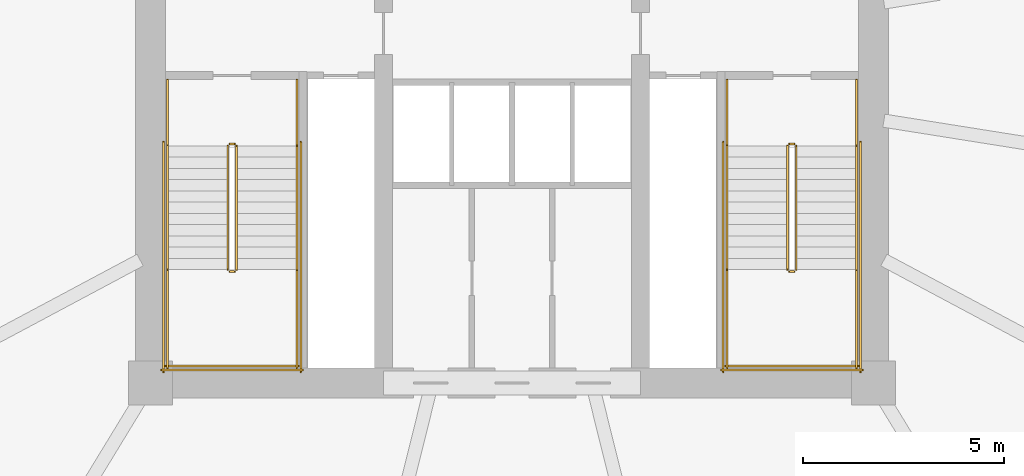
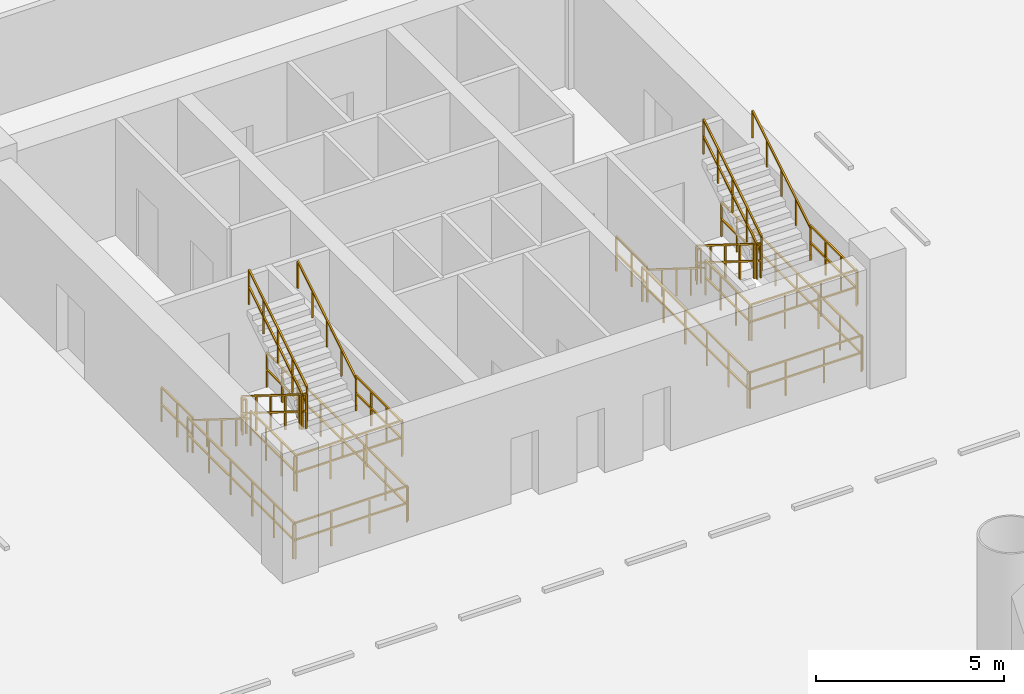
# One storey, part 9 of 11: 28 railings.
"""IFC4 building model written with IfcOpenShell, lengths in metres."""

from ifc_helpers import new_model, si_unit, direction, frame, origin, origin_2d, place, context, subcontext, project, spatial, rectangle, extrude, material, type_object, element, save


model = new_model("IFC4")

# Units and contexts
model_context = context("Model", 3, precision=1e-05, world=origin(), true_north=direction((-0.2419218956, 0.970295726276)))
body_context = subcontext(model_context, "Body", "Model", "MODEL_VIEW")
ifc_project = project(units=[si_unit("LENGTHUNIT", "METRE"), si_unit("AREAUNIT", "SQUARE_METRE"), si_unit("VOLUMEUNIT", "CUBIC_METRE"), si_unit("PLANEANGLEUNIT", "RADIAN"), si_unit("MASSUNIT", "GRAM", prefix="KILO")], contexts=[model_context])

# Site, building, storey
site_placement = place(None, origin())
site = spatial("IfcSite", under=ifc_project, at=site_placement, CompositionType="ELEMENT")
building_placement = place(site_placement, origin())
building = spatial("IfcBuilding", under=site, at=building_placement, Name="Cobrevalo Terracotta Tower", CompositionType="ELEMENT")
storey_placement = place(building_placement, frame((0.0, 0.0, -4.199951171875)))
storey = spatial("IfcBuildingStorey", under=building, at=storey_placement, Name="B01", CompositionType="ELEMENT", Elevation=-4.199951171875)

# Railings
ifc_material_1 = material(Name="Brushed stainless steel", Category="steel")
railing_type_1 = type_object("IfcRailingType", Name="Stainless Steel Stair Handrail 900", PredefinedType="HANDRAIL", material=ifc_material_1)
railing_1_placement = place(storey_placement, frame((29.425048828125, 24.699951171875, 0.175048828125)))
element("IfcRailing", 1, at=railing_1_placement, inside=storey, type_object=railing_type_1, Name="B01 ST-1 stair handrail 1", PredefinedType="HANDRAIL", context=body_context, shape_type="SweptSolid", body=[
    extrude(rectangle(XDim=0.048095703125, YDim=0.048095703125, at=origin_2d()), frame((0.0, 0.0, 0.8759765625), z_axis=(0.0, -0.848009633417, 0.529980812513), x_axis=(1.0, 0.0, 0.0)), (0.0, 0.0, 1.0), 3.6318359375),
    extrude(rectangle(XDim=0.0419921875, YDim=0.0419921875, at=origin_2d()), origin(), (0.0, 0.0, 1.0), 0.851806640625),
    extrude(rectangle(XDim=0.0419921875, YDim=0.0419921875, at=origin_2d()), frame((0.0, -0.77001953125, 0.481201171875)), (0.0, 0.0, 1.0), 0.851806640625),
    extrude(rectangle(XDim=0.0419921875, YDim=0.0419921875, at=origin_2d()), frame((0.0, -1.5400390625, 0.96240234375)), (0.0, 0.0, 1.0), 0.851806640625),
    extrude(rectangle(XDim=0.0419921875, YDim=0.0419921875, at=origin_2d()), frame((0.0, -2.309814453125, 1.443603515625)), (0.0, 0.0, 1.0), 0.851806640625),
    extrude(rectangle(XDim=0.0419921875, YDim=0.0419921875, at=origin_2d()), frame((0.0, -3.079833984375, 1.9248046875)), (0.0, 0.0, 1.0), 0.851806640625),
])
railing_2_placement = place(storey_placement, frame((32.64501953125, 21.6201171875, 2.27490234375)))
element("IfcRailing", 2, at=railing_2_placement, inside=storey, type_object=railing_type_1, Name="B01 ST-1 stair handrail 2", PredefinedType="HANDRAIL", context=body_context, shape_type="SweptSolid", body=[
    extrude(rectangle(XDim=0.048095703125, YDim=0.048095703125, at=origin_2d()), frame((0.0, 0.0, 0.8759765625), z_axis=(0.0, 0.847979421464, 0.530029150871), x_axis=(-1.0, 0.0, 0.0)), (0.0, 0.0, 1.0), 3.632080078125),
    extrude(rectangle(XDim=0.0419921875, YDim=0.0419921875, at=origin_2d()), origin(), (0.0, 0.0, 1.0), 0.851806640625),
    extrude(rectangle(XDim=0.0419921875, YDim=0.0419921875, at=origin_2d()), frame((0.0, 0.77001953125, 0.481201171875)), (0.0, 0.0, 1.0), 0.851806640625),
    extrude(rectangle(XDim=0.0419921875, YDim=0.0419921875, at=origin_2d()), frame((0.0, 1.5400390625, 0.96240234375)), (0.0, 0.0, 1.0), 0.851806640625),
    extrude(rectangle(XDim=0.0419921875, YDim=0.0419921875, at=origin_2d()), frame((0.0, 2.309814453125, 1.44384765625)), (0.0, 0.0, 1.0), 0.851806640625),
    extrude(rectangle(XDim=0.0419921875, YDim=0.0419921875, at=origin_2d()), frame((0.0, 3.079833984375, 1.925048828125)), (0.0, 0.0, 1.0), 0.851806640625),
])
railing_3_placement = place(storey_placement, frame((43.35498046875, 24.699951171875, 0.175048828125)))
element("IfcRailing", 3, at=railing_3_placement, inside=storey, type_object=railing_type_1, Name="B01 ST-2 stair handrail 1", PredefinedType="HANDRAIL", context=body_context, shape_type="SweptSolid", body=[
    extrude(rectangle(XDim=0.048095703125, YDim=0.048095703125, at=origin_2d()), frame((0.0, 0.0, 0.8759765625), z_axis=(0.0, -0.848009633417, 0.529980812513), x_axis=(1.0, 0.0, 0.0)), (0.0, 0.0, 1.0), 3.6318359375),
    extrude(rectangle(XDim=0.0419921875, YDim=0.0419921875, at=origin_2d()), origin(), (0.0, 0.0, 1.0), 0.851806640625),
    extrude(rectangle(XDim=0.0419921875, YDim=0.0419921875, at=origin_2d()), frame((0.0, -0.77001953125, 0.481201171875)), (0.0, 0.0, 1.0), 0.851806640625),
    extrude(rectangle(XDim=0.0419921875, YDim=0.0419921875, at=origin_2d()), frame((0.0, -1.5400390625, 0.96240234375)), (0.0, 0.0, 1.0), 0.851806640625),
    extrude(rectangle(XDim=0.0419921875, YDim=0.0419921875, at=origin_2d()), frame((0.0, -2.309814453125, 1.443603515625)), (0.0, 0.0, 1.0), 0.851806640625),
    extrude(rectangle(XDim=0.0419921875, YDim=0.0419921875, at=origin_2d()), frame((0.0, -3.079833984375, 1.9248046875)), (0.0, 0.0, 1.0), 0.851806640625),
])
railing_4_placement = place(storey_placement, frame((46.574951171875, 21.6201171875, 2.27490234375)))
element("IfcRailing", 4, at=railing_4_placement, inside=storey, type_object=railing_type_1, Name="B01 ST-2 stair handrail 2", PredefinedType="HANDRAIL", context=body_context, shape_type="SweptSolid", body=[
    extrude(rectangle(XDim=0.048095703125, YDim=0.048095703125, at=origin_2d()), frame((0.0, 0.0, 0.8759765625), z_axis=(0.0, 0.847979421464, 0.530029150871), x_axis=(-1.0, 0.0, 0.0)), (0.0, 0.0, 1.0), 3.632080078125),
    extrude(rectangle(XDim=0.0419921875, YDim=0.0419921875, at=origin_2d()), origin(), (0.0, 0.0, 1.0), 0.851806640625),
    extrude(rectangle(XDim=0.0419921875, YDim=0.0419921875, at=origin_2d()), frame((0.0, 0.77001953125, 0.481201171875)), (0.0, 0.0, 1.0), 0.851806640625),
    extrude(rectangle(XDim=0.0419921875, YDim=0.0419921875, at=origin_2d()), frame((0.0, 1.5400390625, 0.96240234375)), (0.0, 0.0, 1.0), 0.851806640625),
    extrude(rectangle(XDim=0.0419921875, YDim=0.0419921875, at=origin_2d()), frame((0.0, 2.309814453125, 1.44384765625)), (0.0, 0.0, 1.0), 0.851806640625),
    extrude(rectangle(XDim=0.0419921875, YDim=0.0419921875, at=origin_2d()), frame((0.0, 3.079833984375, 1.925048828125)), (0.0, 0.0, 1.0), 0.851806640625),
])
ifc_material_2 = material(Name="Painted galvanized steel", Category="steel")
railing_type_2 = type_object("IfcRailingType", Name="Stair Well Guard Balustrade 1150", PredefinedType="GUARDRAIL", material=ifc_material_2)
railing_5_placement = place(storey_placement, frame((30.925048828125, 24.699951171875, 0.175048828125)))
element("IfcRailing", 5, at=railing_5_placement, inside=storey, type_object=railing_type_2, Name="B01 ST-1 stair guard 1", PredefinedType="GUARDRAIL", context=body_context, shape_type="SweptSolid", body=[
    extrude(rectangle(XDim=0.048095703125, YDim=0.048095703125, at=origin_2d()), frame((0.0, 0.0, 1.1259765625), z_axis=(0.0, -0.848009633417, 0.529980812513), x_axis=(1.0, 0.0, 0.0)), (0.0, 0.0, 1.0), 3.6318359375),
    extrude(rectangle(XDim=0.048095703125, YDim=0.048095703125, at=origin_2d()), frame((0.0, 0.0, 0.574951171875), z_axis=(0.0, -0.848009633417, 0.529980812513), x_axis=(1.0, 0.0, 0.0)), (0.0, 0.0, 1.0), 3.6318359375),
    extrude(rectangle(XDim=0.0419921875, YDim=0.0419921875, at=origin_2d()), origin(), (0.0, 0.0, 1.0), 1.101806640625),
    extrude(rectangle(XDim=0.0419921875, YDim=0.0419921875, at=origin_2d()), frame((0.0, -0.77001953125, 0.481201171875)), (0.0, 0.0, 1.0), 1.101806640625),
    extrude(rectangle(XDim=0.0419921875, YDim=0.0419921875, at=origin_2d()), frame((0.0, -1.5400390625, 0.96240234375)), (0.0, 0.0, 1.0), 1.101806640625),
    extrude(rectangle(XDim=0.0419921875, YDim=0.0419921875, at=origin_2d()), frame((0.0, -2.309814453125, 1.443603515625)), (0.0, 0.0, 1.0), 1.101806640625),
    extrude(rectangle(XDim=0.0419921875, YDim=0.0419921875, at=origin_2d()), frame((0.0, -3.079833984375, 1.9248046875)), (0.0, 0.0, 1.0), 1.101806640625),
])
railing_6_placement = place(storey_placement, frame((30.97509765625, 21.570068359375, 2.099853515625)))
element("IfcRailing", 6, at=railing_6_placement, inside=storey, type_object=railing_type_2, Name="B01 ST-1 stair guard 2", PredefinedType="GUARDRAIL", context=body_context, shape_type="SweptSolid", body=[
    extrude(rectangle(XDim=0.048095703125, YDim=0.048095703125, at=origin_2d()), frame((0.0, 0.0, 1.1259765625), z_axis=(1.0, 0.0, 0.0), x_axis=(0.0, 1.0, 0.0)), (0.0, 0.0, 1.0), 0.119873046875),
    extrude(rectangle(XDim=0.048095703125, YDim=0.048095703125, at=origin_2d()), frame((0.0, 0.0, 0.574951171875), z_axis=(1.0, 0.0, 0.0), x_axis=(0.0, 1.0, 0.0)), (0.0, 0.0, 1.0), 0.119873046875),
    extrude(rectangle(XDim=0.0419921875, YDim=0.0419921875, at=origin_2d()), origin(), (0.0, 0.0, 1.0), 1.101806640625),
    extrude(rectangle(XDim=0.0419921875, YDim=0.0419921875, at=origin_2d()), frame((0.119873046875, 0.0, 0.0)), (0.0, 0.0, 1.0), 1.101806640625),
])
for number, where, name in (
    (7, (29.425048828125, 21.6201171875, 2.099853515625), "B01 ST-1 stair guard 3"),
    (8, (32.64501953125, 21.6201171875, 2.099853515625), "B01 ST-1 stair guard 4"),
):
    element("IfcRailing", number, at=place(storey_placement, frame(where)), inside=storey, type_object=railing_type_2, Name=name, PredefinedType="GUARDRAIL", context=body_context, shape_type="SweptSolid", body=[
        extrude(rectangle(XDim=0.048095703125, YDim=0.048095703125, at=origin_2d()), frame((0.0, 0.0, 1.1259765625), z_axis=(0.0, -1.0, 0.0), x_axis=(1.0, 0.0, 0.0)), (0.0, 0.0, 1.0), 2.445068359375),
        extrude(rectangle(XDim=0.048095703125, YDim=0.048095703125, at=origin_2d()), frame((0.0, 0.0, 0.574951171875), z_axis=(0.0, -1.0, 0.0), x_axis=(1.0, 0.0, 0.0)), (0.0, 0.0, 1.0), 2.445068359375),
        extrude(rectangle(XDim=0.0419921875, YDim=0.0419921875, at=origin_2d()), origin(), (0.0, 0.0, 1.0), 1.101806640625),
        extrude(rectangle(XDim=0.0419921875, YDim=0.0419921875, at=origin_2d()), frame((0.0, -0.81494140625, 0.0)), (0.0, 0.0, 1.0), 1.101806640625),
        extrude(rectangle(XDim=0.0419921875, YDim=0.0419921875, at=origin_2d()), frame((0.0, -1.630126953125, 0.0)), (0.0, 0.0, 1.0), 1.101806640625),
        extrude(rectangle(XDim=0.0419921875, YDim=0.0419921875, at=origin_2d()), frame((0.0, -2.445068359375, 0.0)), (0.0, 0.0, 1.0), 1.101806640625),
    ])
railing_7_placement = place(storey_placement, frame((29.375, 19.22509765625, 2.099853515625)))
element("IfcRailing", 9, at=railing_7_placement, inside=storey, type_object=railing_type_2, Name="B01 ST-1 stair guard 5", PredefinedType="GUARDRAIL", context=body_context, shape_type="SweptSolid", body=[
    extrude(rectangle(XDim=0.048095703125, YDim=0.048095703125, at=origin_2d()), frame((0.0, 0.0, 1.1259765625), z_axis=(1.0, 0.0, 0.0), x_axis=(0.0, 1.0, 0.0)), (0.0, 0.0, 1.0), 3.320068359375),
    extrude(rectangle(XDim=0.048095703125, YDim=0.048095703125, at=origin_2d()), frame((0.0, 0.0, 0.574951171875), z_axis=(1.0, 0.0, 0.0), x_axis=(0.0, 1.0, 0.0)), (0.0, 0.0, 1.0), 3.320068359375),
    extrude(rectangle(XDim=0.0419921875, YDim=0.0419921875, at=origin_2d()), origin(), (0.0, 0.0, 1.0), 1.101806640625),
    extrude(rectangle(XDim=0.0419921875, YDim=0.0419921875, at=origin_2d()), frame((1.106689453125, 0.0, 0.0)), (0.0, 0.0, 1.0), 1.101806640625),
    extrude(rectangle(XDim=0.0419921875, YDim=0.0419921875, at=origin_2d()), frame((2.21337890625, 0.0, 0.0)), (0.0, 0.0, 1.0), 1.101806640625),
    extrude(rectangle(XDim=0.0419921875, YDim=0.0419921875, at=origin_2d()), frame((3.320068359375, 0.0, 0.0)), (0.0, 0.0, 1.0), 1.101806640625),
])
railing_8_placement = place(storey_placement, frame((31.14501953125, 21.6201171875, 2.27490234375)))
element("IfcRailing", 10, at=railing_8_placement, inside=storey, type_object=railing_type_2, Name="B01 ST-1 stair guard 6", PredefinedType="GUARDRAIL", context=body_context, shape_type="SweptSolid", body=[
    extrude(rectangle(XDim=0.048095703125, YDim=0.048095703125, at=origin_2d()), frame((0.0, 0.0, 1.1259765625), z_axis=(0.0, 0.847979421464, 0.530029150871), x_axis=(-1.0, 0.0, 0.0)), (0.0, 0.0, 1.0), 3.632080078125),
    extrude(rectangle(XDim=0.048095703125, YDim=0.048095703125, at=origin_2d()), frame((0.0, 0.0, 0.574951171875), z_axis=(0.0, 0.847979421464, 0.530029150871), x_axis=(-1.0, 0.0, 0.0)), (0.0, 0.0, 1.0), 3.632080078125),
    extrude(rectangle(XDim=0.0419921875, YDim=0.0419921875, at=origin_2d()), origin(), (0.0, 0.0, 1.0), 1.101806640625),
    extrude(rectangle(XDim=0.0419921875, YDim=0.0419921875, at=origin_2d()), frame((0.0, 0.77001953125, 0.481201171875)), (0.0, 0.0, 1.0), 1.101806640625),
    extrude(rectangle(XDim=0.0419921875, YDim=0.0419921875, at=origin_2d()), frame((0.0, 1.5400390625, 0.96240234375)), (0.0, 0.0, 1.0), 1.101806640625),
    extrude(rectangle(XDim=0.0419921875, YDim=0.0419921875, at=origin_2d()), frame((0.0, 2.309814453125, 1.44384765625)), (0.0, 0.0, 1.0), 1.101806640625),
    extrude(rectangle(XDim=0.0419921875, YDim=0.0419921875, at=origin_2d()), frame((0.0, 3.079833984375, 1.925048828125)), (0.0, 0.0, 1.0), 1.101806640625),
])
railing_9_placement = place(storey_placement, frame((30.97509765625, 24.75, 0.0)))
element("IfcRailing", 11, at=railing_9_placement, inside=storey, type_object=railing_type_2, Name="B01 ST-1 stair guard 7", PredefinedType="GUARDRAIL", context=body_context, shape_type="SweptSolid", body=[
    extrude(rectangle(XDim=0.048095703125, YDim=0.048095703125, at=origin_2d()), frame((0.0, 0.0, 1.1259765625), z_axis=(1.0, 0.0, 0.0), x_axis=(0.0, 1.0, 0.0)), (0.0, 0.0, 1.0), 0.119873046875),
    extrude(rectangle(XDim=0.048095703125, YDim=0.048095703125, at=origin_2d()), frame((0.0, 0.0, 0.574951171875), z_axis=(1.0, 0.0, 0.0), x_axis=(0.0, 1.0, 0.0)), (0.0, 0.0, 1.0), 0.119873046875),
    extrude(rectangle(XDim=0.0419921875, YDim=0.0419921875, at=origin_2d()), origin(), (0.0, 0.0, 1.0), 1.101806640625),
    extrude(rectangle(XDim=0.0419921875, YDim=0.0419921875, at=origin_2d()), frame((0.119873046875, 0.0, 0.0)), (0.0, 0.0, 1.0), 1.101806640625),
])
for number, where, name in (
    (12, (29.425048828125, 26.35009765625, 0.0), "B01 ST-1 stair guard 8"),
    (13, (32.64501953125, 26.35009765625, 0.0), "B01 ST-1 stair guard 9"),
):
    element("IfcRailing", number, at=place(storey_placement, frame(where)), inside=storey, type_object=railing_type_2, Name=name, PredefinedType="GUARDRAIL", context=body_context, shape_type="SweptSolid", body=[
        extrude(rectangle(XDim=0.048095703125, YDim=0.048095703125, at=origin_2d()), frame((0.0, 0.0, 1.1259765625), z_axis=(0.0, -1.0, 0.0), x_axis=(1.0, 0.0, 0.0)), (0.0, 0.0, 1.0), 1.650146484375),
        extrude(rectangle(XDim=0.048095703125, YDim=0.048095703125, at=origin_2d()), frame((0.0, 0.0, 0.574951171875), z_axis=(0.0, -1.0, 0.0), x_axis=(1.0, 0.0, 0.0)), (0.0, 0.0, 1.0), 1.650146484375),
        extrude(rectangle(XDim=0.0419921875, YDim=0.0419921875, at=origin_2d()), origin(), (0.0, 0.0, 1.0), 1.101806640625),
        extrude(rectangle(XDim=0.0419921875, YDim=0.0419921875, at=origin_2d()), frame((0.0, -0.8251953125, 0.0)), (0.0, 0.0, 1.0), 1.101806640625),
        extrude(rectangle(XDim=0.0419921875, YDim=0.0419921875, at=origin_2d()), frame((0.0, -1.650146484375, 0.0)), (0.0, 0.0, 1.0), 1.101806640625),
    ])
for number, where, name in (
    (14, (29.324951171875, 24.800048828125, 0.0), "B01 ST-1 stair guard 10"),
    (15, (32.7451171875, 24.800048828125, 0.0), "B01 ST-1 stair guard 11"),
):
    element("IfcRailing", number, at=place(storey_placement, frame(where)), inside=storey, type_object=railing_type_2, Name=name, PredefinedType="GUARDRAIL", context=body_context, shape_type="SweptSolid", body=[
        extrude(rectangle(XDim=0.048095703125, YDim=0.048095703125, at=origin_2d()), frame((0.0, 0.0, 1.1259765625), z_axis=(0.0, -1.0, 0.0), x_axis=(1.0, 0.0, 0.0)), (0.0, 0.0, 1.0), 5.72509765625),
        extrude(rectangle(XDim=0.048095703125, YDim=0.048095703125, at=origin_2d()), frame((0.0, 0.0, 0.574951171875), z_axis=(0.0, -1.0, 0.0), x_axis=(1.0, 0.0, 0.0)), (0.0, 0.0, 1.0), 5.72509765625),
        extrude(rectangle(XDim=0.0419921875, YDim=0.0419921875, at=origin_2d()), origin(), (0.0, 0.0, 1.0), 1.101806640625),
        extrude(rectangle(XDim=0.0419921875, YDim=0.0419921875, at=origin_2d()), frame((0.0, -1.14501953125, 0.0)), (0.0, 0.0, 1.0), 1.101806640625),
        extrude(rectangle(XDim=0.0419921875, YDim=0.0419921875, at=origin_2d()), frame((0.0, -2.2900390625, 0.0)), (0.0, 0.0, 1.0), 1.101806640625),
        extrude(rectangle(XDim=0.0419921875, YDim=0.0419921875, at=origin_2d()), frame((0.0, -3.43505859375, 0.0)), (0.0, 0.0, 1.0), 1.101806640625),
        extrude(rectangle(XDim=0.0419921875, YDim=0.0419921875, at=origin_2d()), frame((0.0, -4.580078125, 0.0)), (0.0, 0.0, 1.0), 1.101806640625),
        extrude(rectangle(XDim=0.0419921875, YDim=0.0419921875, at=origin_2d()), frame((0.0, -5.72509765625, 0.0)), (0.0, 0.0, 1.0), 1.101806640625),
    ])
railing_10_placement = place(storey_placement, frame((29.27490234375, 19.125, 0.0)))
element("IfcRailing", 16, at=railing_10_placement, inside=storey, type_object=railing_type_2, Name="B01 ST-1 stair guard 12", PredefinedType="GUARDRAIL", context=body_context, shape_type="SweptSolid", body=[
    extrude(rectangle(XDim=0.048095703125, YDim=0.048095703125, at=origin_2d()), frame((0.0, 0.0, 1.1259765625), z_axis=(1.0, 0.0, 0.0), x_axis=(0.0, 1.0, 0.0)), (0.0, 0.0, 1.0), 3.52001953125),
    extrude(rectangle(XDim=0.048095703125, YDim=0.048095703125, at=origin_2d()), frame((0.0, 0.0, 0.574951171875), z_axis=(1.0, 0.0, 0.0), x_axis=(0.0, 1.0, 0.0)), (0.0, 0.0, 1.0), 3.52001953125),
    extrude(rectangle(XDim=0.0419921875, YDim=0.0419921875, at=origin_2d()), origin(), (0.0, 0.0, 1.0), 1.101806640625),
    extrude(rectangle(XDim=0.0419921875, YDim=0.0419921875, at=origin_2d()), frame((1.17333984375, 0.0, 0.0)), (0.0, 0.0, 1.0), 1.101806640625),
    extrude(rectangle(XDim=0.0419921875, YDim=0.0419921875, at=origin_2d()), frame((2.3466796875, 0.0, 0.0)), (0.0, 0.0, 1.0), 1.101806640625),
    extrude(rectangle(XDim=0.0419921875, YDim=0.0419921875, at=origin_2d()), frame((3.52001953125, 0.0, 0.0)), (0.0, 0.0, 1.0), 1.101806640625),
])
railing_11_placement = place(storey_placement, frame((44.85498046875, 24.699951171875, 0.175048828125)))
element("IfcRailing", 17, at=railing_11_placement, inside=storey, type_object=railing_type_2, Name="B01 ST-2 stair guard 1", PredefinedType="GUARDRAIL", context=body_context, shape_type="SweptSolid", body=[
    extrude(rectangle(XDim=0.048095703125, YDim=0.048095703125, at=origin_2d()), frame((0.0, 0.0, 1.1259765625), z_axis=(0.0, -0.848009633417, 0.529980812513), x_axis=(1.0, 0.0, 0.0)), (0.0, 0.0, 1.0), 3.6318359375),
    extrude(rectangle(XDim=0.048095703125, YDim=0.048095703125, at=origin_2d()), frame((0.0, 0.0, 0.574951171875), z_axis=(0.0, -0.848009633417, 0.529980812513), x_axis=(1.0, 0.0, 0.0)), (0.0, 0.0, 1.0), 3.6318359375),
    extrude(rectangle(XDim=0.0419921875, YDim=0.0419921875, at=origin_2d()), origin(), (0.0, 0.0, 1.0), 1.101806640625),
    extrude(rectangle(XDim=0.0419921875, YDim=0.0419921875, at=origin_2d()), frame((0.0, -0.77001953125, 0.481201171875)), (0.0, 0.0, 1.0), 1.101806640625),
    extrude(rectangle(XDim=0.0419921875, YDim=0.0419921875, at=origin_2d()), frame((0.0, -1.5400390625, 0.96240234375)), (0.0, 0.0, 1.0), 1.101806640625),
    extrude(rectangle(XDim=0.0419921875, YDim=0.0419921875, at=origin_2d()), frame((0.0, -2.309814453125, 1.443603515625)), (0.0, 0.0, 1.0), 1.101806640625),
    extrude(rectangle(XDim=0.0419921875, YDim=0.0419921875, at=origin_2d()), frame((0.0, -3.079833984375, 1.9248046875)), (0.0, 0.0, 1.0), 1.101806640625),
])
railing_12_placement = place(storey_placement, frame((44.905029296875, 21.570068359375, 2.099853515625)))
element("IfcRailing", 18, at=railing_12_placement, inside=storey, type_object=railing_type_2, Name="B01 ST-2 stair guard 2", PredefinedType="GUARDRAIL", context=body_context, shape_type="SweptSolid", body=[
    extrude(rectangle(XDim=0.048095703125, YDim=0.048095703125, at=origin_2d()), frame((0.0, 0.0, 1.1259765625), z_axis=(1.0, 0.0, 0.0), x_axis=(0.0, 1.0, 0.0)), (0.0, 0.0, 1.0), 0.119873046875),
    extrude(rectangle(XDim=0.048095703125, YDim=0.048095703125, at=origin_2d()), frame((0.0, 0.0, 0.574951171875), z_axis=(1.0, 0.0, 0.0), x_axis=(0.0, 1.0, 0.0)), (0.0, 0.0, 1.0), 0.119873046875),
    extrude(rectangle(XDim=0.0419921875, YDim=0.0419921875, at=origin_2d()), origin(), (0.0, 0.0, 1.0), 1.101806640625),
    extrude(rectangle(XDim=0.0419921875, YDim=0.0419921875, at=origin_2d()), frame((0.119873046875, 0.0, 0.0)), (0.0, 0.0, 1.0), 1.101806640625),
])
for number, where, name in (
    (19, (43.35498046875, 21.6201171875, 2.099853515625), "B01 ST-2 stair guard 3"),
    (20, (46.574951171875, 21.6201171875, 2.099853515625), "B01 ST-2 stair guard 4"),
):
    element("IfcRailing", number, at=place(storey_placement, frame(where)), inside=storey, type_object=railing_type_2, Name=name, PredefinedType="GUARDRAIL", context=body_context, shape_type="SweptSolid", body=[
        extrude(rectangle(XDim=0.048095703125, YDim=0.048095703125, at=origin_2d()), frame((0.0, 0.0, 1.1259765625), z_axis=(0.0, -1.0, 0.0), x_axis=(1.0, 0.0, 0.0)), (0.0, 0.0, 1.0), 2.445068359375),
        extrude(rectangle(XDim=0.048095703125, YDim=0.048095703125, at=origin_2d()), frame((0.0, 0.0, 0.574951171875), z_axis=(0.0, -1.0, 0.0), x_axis=(1.0, 0.0, 0.0)), (0.0, 0.0, 1.0), 2.445068359375),
        extrude(rectangle(XDim=0.0419921875, YDim=0.0419921875, at=origin_2d()), origin(), (0.0, 0.0, 1.0), 1.101806640625),
        extrude(rectangle(XDim=0.0419921875, YDim=0.0419921875, at=origin_2d()), frame((0.0, -0.81494140625, 0.0)), (0.0, 0.0, 1.0), 1.101806640625),
        extrude(rectangle(XDim=0.0419921875, YDim=0.0419921875, at=origin_2d()), frame((0.0, -1.630126953125, 0.0)), (0.0, 0.0, 1.0), 1.101806640625),
        extrude(rectangle(XDim=0.0419921875, YDim=0.0419921875, at=origin_2d()), frame((0.0, -2.445068359375, 0.0)), (0.0, 0.0, 1.0), 1.101806640625),
    ])
railing_13_placement = place(storey_placement, frame((43.304931640625, 19.22509765625, 2.099853515625)))
element("IfcRailing", 21, at=railing_13_placement, inside=storey, type_object=railing_type_2, Name="B01 ST-2 stair guard 5", PredefinedType="GUARDRAIL", context=body_context, shape_type="SweptSolid", body=[
    extrude(rectangle(XDim=0.048095703125, YDim=0.048095703125, at=origin_2d()), frame((0.0, 0.0, 1.1259765625), z_axis=(1.0, 0.0, 0.0), x_axis=(0.0, 1.0, 0.0)), (0.0, 0.0, 1.0), 3.320068359375),
    extrude(rectangle(XDim=0.048095703125, YDim=0.048095703125, at=origin_2d()), frame((0.0, 0.0, 0.574951171875), z_axis=(1.0, 0.0, 0.0), x_axis=(0.0, 1.0, 0.0)), (0.0, 0.0, 1.0), 3.320068359375),
    extrude(rectangle(XDim=0.0419921875, YDim=0.0419921875, at=origin_2d()), origin(), (0.0, 0.0, 1.0), 1.101806640625),
    extrude(rectangle(XDim=0.0419921875, YDim=0.0419921875, at=origin_2d()), frame((1.106689453125, 0.0, 0.0)), (0.0, 0.0, 1.0), 1.101806640625),
    extrude(rectangle(XDim=0.0419921875, YDim=0.0419921875, at=origin_2d()), frame((2.21337890625, 0.0, 0.0)), (0.0, 0.0, 1.0), 1.101806640625),
    extrude(rectangle(XDim=0.0419921875, YDim=0.0419921875, at=origin_2d()), frame((3.320068359375, 0.0, 0.0)), (0.0, 0.0, 1.0), 1.101806640625),
])
railing_14_placement = place(storey_placement, frame((45.074951171875, 21.6201171875, 2.27490234375)))
element("IfcRailing", 22, at=railing_14_placement, inside=storey, type_object=railing_type_2, Name="B01 ST-2 stair guard 6", PredefinedType="GUARDRAIL", context=body_context, shape_type="SweptSolid", body=[
    extrude(rectangle(XDim=0.048095703125, YDim=0.048095703125, at=origin_2d()), frame((0.0, 0.0, 1.1259765625), z_axis=(0.0, 0.847979421464, 0.530029150871), x_axis=(-1.0, 0.0, 0.0)), (0.0, 0.0, 1.0), 3.632080078125),
    extrude(rectangle(XDim=0.048095703125, YDim=0.048095703125, at=origin_2d()), frame((0.0, 0.0, 0.574951171875), z_axis=(0.0, 0.847979421464, 0.530029150871), x_axis=(-1.0, 0.0, 0.0)), (0.0, 0.0, 1.0), 3.632080078125),
    extrude(rectangle(XDim=0.0419921875, YDim=0.0419921875, at=origin_2d()), origin(), (0.0, 0.0, 1.0), 1.101806640625),
    extrude(rectangle(XDim=0.0419921875, YDim=0.0419921875, at=origin_2d()), frame((0.0, 0.77001953125, 0.481201171875)), (0.0, 0.0, 1.0), 1.101806640625),
    extrude(rectangle(XDim=0.0419921875, YDim=0.0419921875, at=origin_2d()), frame((0.0, 1.5400390625, 0.96240234375)), (0.0, 0.0, 1.0), 1.101806640625),
    extrude(rectangle(XDim=0.0419921875, YDim=0.0419921875, at=origin_2d()), frame((0.0, 2.309814453125, 1.44384765625)), (0.0, 0.0, 1.0), 1.101806640625),
    extrude(rectangle(XDim=0.0419921875, YDim=0.0419921875, at=origin_2d()), frame((0.0, 3.079833984375, 1.925048828125)), (0.0, 0.0, 1.0), 1.101806640625),
])
railing_15_placement = place(storey_placement, frame((44.905029296875, 24.75, 0.0)))
element("IfcRailing", 23, at=railing_15_placement, inside=storey, type_object=railing_type_2, Name="B01 ST-2 stair guard 7", PredefinedType="GUARDRAIL", context=body_context, shape_type="SweptSolid", body=[
    extrude(rectangle(XDim=0.048095703125, YDim=0.048095703125, at=origin_2d()), frame((0.0, 0.0, 1.1259765625), z_axis=(1.0, 0.0, 0.0), x_axis=(0.0, 1.0, 0.0)), (0.0, 0.0, 1.0), 0.119873046875),
    extrude(rectangle(XDim=0.048095703125, YDim=0.048095703125, at=origin_2d()), frame((0.0, 0.0, 0.574951171875), z_axis=(1.0, 0.0, 0.0), x_axis=(0.0, 1.0, 0.0)), (0.0, 0.0, 1.0), 0.119873046875),
    extrude(rectangle(XDim=0.0419921875, YDim=0.0419921875, at=origin_2d()), origin(), (0.0, 0.0, 1.0), 1.101806640625),
    extrude(rectangle(XDim=0.0419921875, YDim=0.0419921875, at=origin_2d()), frame((0.119873046875, 0.0, 0.0)), (0.0, 0.0, 1.0), 1.101806640625),
])
for number, where, name in (
    (24, (43.35498046875, 26.35009765625, 0.0), "B01 ST-2 stair guard 8"),
    (25, (46.574951171875, 26.35009765625, 0.0), "B01 ST-2 stair guard 9"),
):
    element("IfcRailing", number, at=place(storey_placement, frame(where)), inside=storey, type_object=railing_type_2, Name=name, PredefinedType="GUARDRAIL", context=body_context, shape_type="SweptSolid", body=[
        extrude(rectangle(XDim=0.048095703125, YDim=0.048095703125, at=origin_2d()), frame((0.0, 0.0, 1.1259765625), z_axis=(0.0, -1.0, 0.0), x_axis=(1.0, 0.0, 0.0)), (0.0, 0.0, 1.0), 1.650146484375),
        extrude(rectangle(XDim=0.048095703125, YDim=0.048095703125, at=origin_2d()), frame((0.0, 0.0, 0.574951171875), z_axis=(0.0, -1.0, 0.0), x_axis=(1.0, 0.0, 0.0)), (0.0, 0.0, 1.0), 1.650146484375),
        extrude(rectangle(XDim=0.0419921875, YDim=0.0419921875, at=origin_2d()), origin(), (0.0, 0.0, 1.0), 1.101806640625),
        extrude(rectangle(XDim=0.0419921875, YDim=0.0419921875, at=origin_2d()), frame((0.0, -0.8251953125, 0.0)), (0.0, 0.0, 1.0), 1.101806640625),
        extrude(rectangle(XDim=0.0419921875, YDim=0.0419921875, at=origin_2d()), frame((0.0, -1.650146484375, 0.0)), (0.0, 0.0, 1.0), 1.101806640625),
    ])
for number, where, name in (
    (26, (43.2548828125, 24.800048828125, 0.0), "B01 ST-2 stair guard 10"),
    (27, (46.675048828125, 24.800048828125, 0.0), "B01 ST-2 stair guard 11"),
):
    element("IfcRailing", number, at=place(storey_placement, frame(where)), inside=storey, type_object=railing_type_2, Name=name, PredefinedType="GUARDRAIL", context=body_context, shape_type="SweptSolid", body=[
        extrude(rectangle(XDim=0.048095703125, YDim=0.048095703125, at=origin_2d()), frame((0.0, 0.0, 1.1259765625), z_axis=(0.0, -1.0, 0.0), x_axis=(1.0, 0.0, 0.0)), (0.0, 0.0, 1.0), 5.72509765625),
        extrude(rectangle(XDim=0.048095703125, YDim=0.048095703125, at=origin_2d()), frame((0.0, 0.0, 0.574951171875), z_axis=(0.0, -1.0, 0.0), x_axis=(1.0, 0.0, 0.0)), (0.0, 0.0, 1.0), 5.72509765625),
        extrude(rectangle(XDim=0.0419921875, YDim=0.0419921875, at=origin_2d()), origin(), (0.0, 0.0, 1.0), 1.101806640625),
        extrude(rectangle(XDim=0.0419921875, YDim=0.0419921875, at=origin_2d()), frame((0.0, -1.14501953125, 0.0)), (0.0, 0.0, 1.0), 1.101806640625),
        extrude(rectangle(XDim=0.0419921875, YDim=0.0419921875, at=origin_2d()), frame((0.0, -2.2900390625, 0.0)), (0.0, 0.0, 1.0), 1.101806640625),
        extrude(rectangle(XDim=0.0419921875, YDim=0.0419921875, at=origin_2d()), frame((0.0, -3.43505859375, 0.0)), (0.0, 0.0, 1.0), 1.101806640625),
        extrude(rectangle(XDim=0.0419921875, YDim=0.0419921875, at=origin_2d()), frame((0.0, -4.580078125, 0.0)), (0.0, 0.0, 1.0), 1.101806640625),
        extrude(rectangle(XDim=0.0419921875, YDim=0.0419921875, at=origin_2d()), frame((0.0, -5.72509765625, 0.0)), (0.0, 0.0, 1.0), 1.101806640625),
    ])
railing_16_placement = place(storey_placement, frame((43.205078125, 19.125, 0.0)))
element("IfcRailing", 28, at=railing_16_placement, inside=storey, type_object=railing_type_2, Name="B01 ST-2 stair guard 12", PredefinedType="GUARDRAIL", context=body_context, shape_type="SweptSolid", body=[
    extrude(rectangle(XDim=0.048095703125, YDim=0.048095703125, at=origin_2d()), frame((0.0, 0.0, 1.1259765625), z_axis=(1.0, 0.0, 0.0), x_axis=(0.0, 1.0, 0.0)), (0.0, 0.0, 1.0), 3.52001953125),
    extrude(rectangle(XDim=0.048095703125, YDim=0.048095703125, at=origin_2d()), frame((0.0, 0.0, 0.574951171875), z_axis=(1.0, 0.0, 0.0), x_axis=(0.0, 1.0, 0.0)), (0.0, 0.0, 1.0), 3.52001953125),
    extrude(rectangle(XDim=0.0419921875, YDim=0.0419921875, at=origin_2d()), origin(), (0.0, 0.0, 1.0), 1.101806640625),
    extrude(rectangle(XDim=0.0419921875, YDim=0.0419921875, at=origin_2d()), frame((1.17333984375, 0.0, 0.0)), (0.0, 0.0, 1.0), 1.101806640625),
    extrude(rectangle(XDim=0.0419921875, YDim=0.0419921875, at=origin_2d()), frame((2.3466796875, 0.0, 0.0)), (0.0, 0.0, 1.0), 1.101806640625),
    extrude(rectangle(XDim=0.0419921875, YDim=0.0419921875, at=origin_2d()), frame((3.52001953125, 0.0, 0.0)), (0.0, 0.0, 1.0), 1.101806640625),
])

save(model, "model.ifc")
